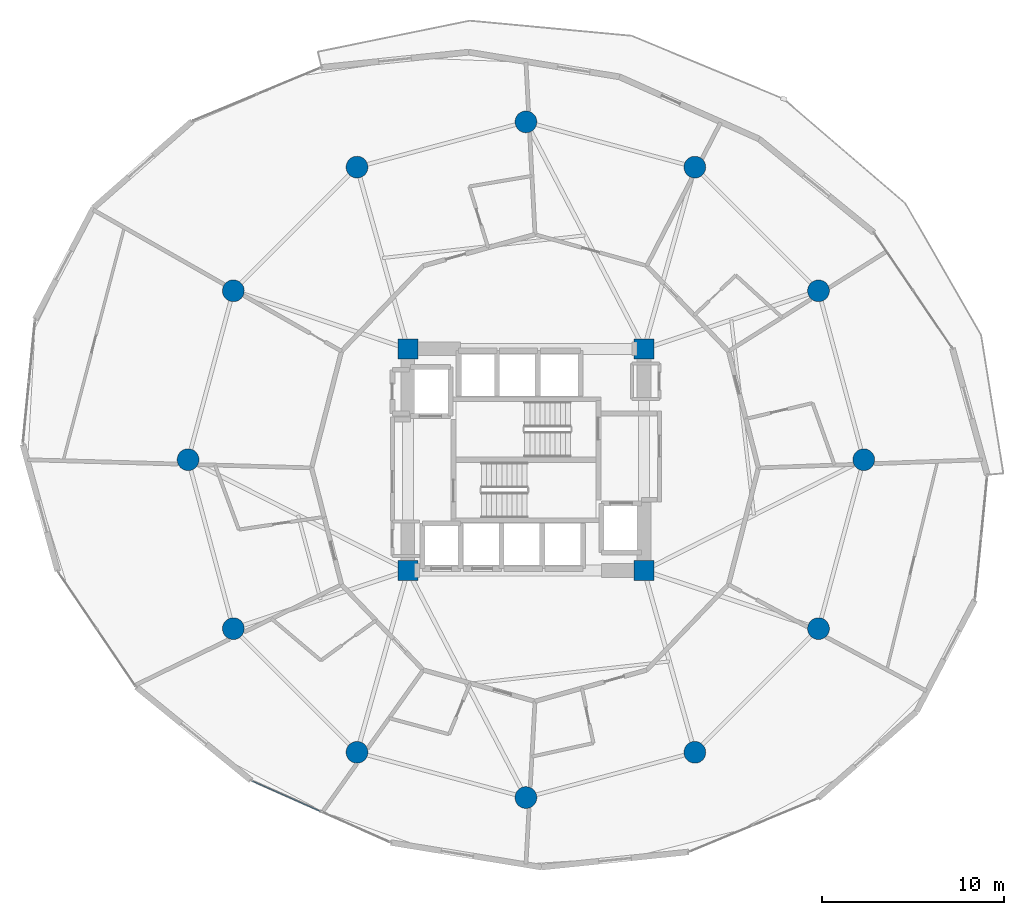
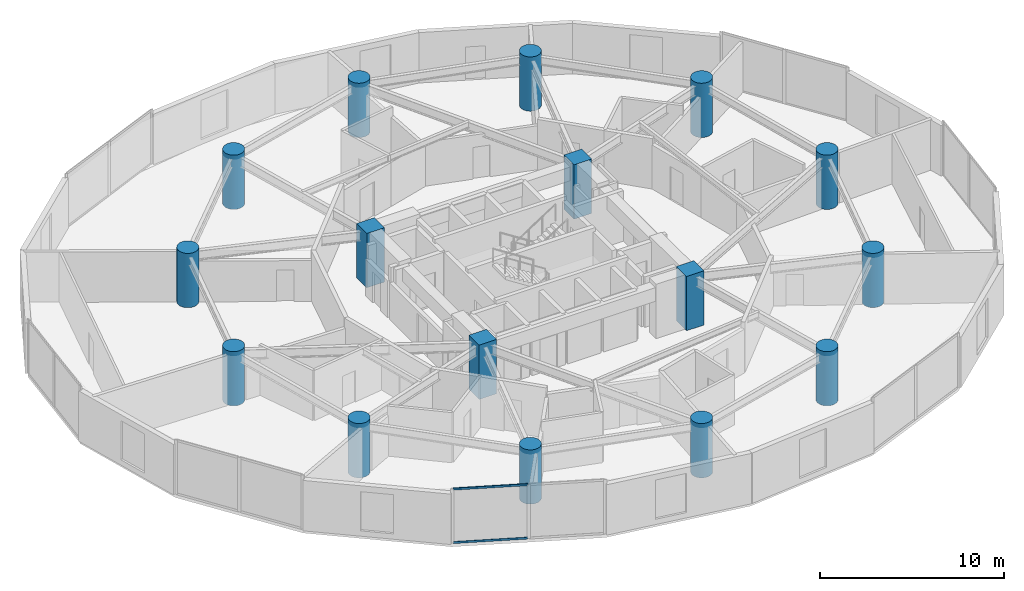
# One storey, part 1 of 26: 16 columns, 2 members, 1 element without a shape of its own.
"""IFC4 building model written with IfcOpenShell, lengths in metres."""

from ifc_helpers import new_model, si_unit, direction, frame, origin, origin_2d, place, context, subcontext, project, spatial, rectangle, hollow_rectangle, circle, extrude, source, transform, mapped, material, layer, layer_set, material_profile, profile_set, type_object, element, aggregate, save


model = new_model("IFC4")

# Units and contexts
model_context = context("Model", 3, precision=1e-05, world=origin(), true_north=direction((0.0, 1.0)))
body_context = subcontext(model_context, "Body", "Model", "MODEL_VIEW")
ifc_project = project(units=[si_unit("LENGTHUNIT", "METRE"), si_unit("AREAUNIT", "SQUARE_METRE"), si_unit("VOLUMEUNIT", "CUBIC_METRE"), si_unit("PLANEANGLEUNIT", "RADIAN"), si_unit("MASSUNIT", "GRAM", prefix="KILO")], contexts=[model_context])

# Site, building, storey
site_placement = place(None, origin())
site = spatial("IfcSite", under=ifc_project, at=site_placement, CompositionType="ELEMENT")
building_placement = place(site_placement, origin())
building = spatial("IfcBuilding", under=site, at=building_placement, Name="Solvirekh Grand Hotel", CompositionType="ELEMENT")
storey_placement = place(building_placement, frame((0.0, 0.0, 64.39990234375)))
storey = spatial("IfcBuildingStorey", under=building, at=storey_placement, Name="L15", CompositionType="ELEMENT", Elevation=64.39990234375)

# Columns
ifc_material_1 = material(Name="Concrete C60/75", Category="concrete")
ifc_material_profile_1 = material_profile(ifc_material_1, rectangle(XDim=1.10009765625, YDim=1.10009765625, at=origin_2d()), Name="RC 1100X1100")
ifc_profile_set_1 = profile_set([ifc_material_profile_1], Name="Concrete C60/75")
column_type_1 = type_object("IfcColumnType", Name="Col_Core_1100", PredefinedType="COLUMN", material=ifc_profile_set_1)
for number, where, z_axis, x_axis, name in (
    (1, (-6.5, -6.10009765625, 0.0), (0.0, 0.0, 1.0), (1.0, 0.0, 0.0), "L15 core corner column CC1"),
    (2, (6.5, -6.10009765625, 0.0), (0.0, 0.0, 1.0), (1.0, 0.0, 0.0), "L15 core corner column CC2"),
    (3, (6.5, 6.10009765625, 0.0), (0.0, 0.0, 1.0), (1.0, 0.0, 0.0), "L15 core corner column CC3"),
    (4, (-6.5, 6.10009765625, 0.0), (0.0, 0.0, 1.0), (1.0, 0.0, 0.0), "L15 core corner column CC4"),
):
    element("IfcColumn", number, at=place(storey_placement, frame(where, z_axis=z_axis, x_axis=x_axis)), inside=storey, type_object=column_type_1, Name=name, PredefinedType="COLUMN", context=body_context, shape_type="SweptSolid", body=[
        extrude(rectangle(XDim=1.10009765625, YDim=1.10009765625, at=origin_2d()), origin(), (0.0, 0.0, 1.0), 3.60009765625),
    ])
ifc_material_profile_2 = material_profile(ifc_material_1, circle(Radius=0.60009765625, at=origin_2d()), Name="RC CIRC D1200")
ifc_profile_set_2 = profile_set([ifc_material_profile_2], Name="Concrete C60/75")
column_type_2 = type_object("IfcColumnType", Name="Col_Z1_D1200", PredefinedType="COLUMN", material=ifc_profile_set_2)
for number, where, z_axis, x_axis, name in (
    (5, (18.60009765625, 0.0, 0.0), (0.0, 0.0, 1.0), (1.0, 0.0, 0.0), "L15 perimeter column P01"),
    (6, (16.10791015625, 9.300048828125, 0.0), (0.0, 0.0, 1.0), (1.0, 0.0, 0.0), "L15 perimeter column P02"),
    (7, (9.300048828125, 16.10791015625, 0.0), (0.0, 0.0, 1.0), (1.0, 0.0, 0.0), "L15 perimeter column P03"),
    (8, (0.0, 18.60009765625, 0.0), (0.0, 0.0, 1.0), (1.0, 0.0, 0.0), "L15 perimeter column P04"),
    (9, (-9.300048828125, 16.10791015625, 0.0), (0.0, 0.0, 1.0), (1.0, 0.0, 0.0), "L15 perimeter column P05"),
    (10, (-16.10791015625, 9.300048828125, 0.0), (0.0, 0.0, 1.0), (1.0, 0.0, 0.0), "L15 perimeter column P06"),
    (11, (-18.60009765625, 0.0, 0.0), (0.0, 0.0, 1.0), (1.0, 0.0, 0.0), "L15 perimeter column P07"),
    (12, (-16.10791015625, -9.300048828125, 0.0), (0.0, 0.0, 1.0), (1.0, 0.0, 0.0), "L15 perimeter column P08"),
    (13, (-9.300048828125, -16.10791015625, 0.0), (0.0, 0.0, 1.0), (1.0, 0.0, 0.0), "L15 perimeter column P09"),
    (14, (0.0, -18.60009765625, 0.0), (0.0, 0.0, 1.0), (1.0, 0.0, 0.0), "L15 perimeter column P10"),
    (15, (9.300048828125, -16.10791015625, 0.0), (0.0, 0.0, 1.0), (1.0, 0.0, 0.0), "L15 perimeter column P11"),
    (16, (16.10791015625, -9.300048828125, 0.0), (0.0, 0.0, 1.0), (1.0, 0.0, 0.0), "L15 perimeter column P12"),
):
    element("IfcColumn", number, at=place(storey_placement, frame(where, z_axis=z_axis, x_axis=x_axis)), inside=storey, type_object=column_type_2, Name=name, PredefinedType="COLUMN", context=body_context, shape_type="SweptSolid", body=[
        extrude(circle(Radius=0.60009765625, at=origin_2d()), origin(), (0.0, 0.0, 1.0), 3.60009765625),
    ])

# Curtain wall, members
ifc_material_2 = material(Name="Anodized Bronze Aluminium 6063-T6", Category="aluminium")
ifc_layer = layer(ifc_material_2, 0.18994140625)
ifc_layer_set = layer_set([ifc_layer], Name="Anodized Bronze Aluminium 6063-T6")
curtain_wall_type = type_object("IfcCurtainWallType", Name="CW_Sys2_LowZoneFlushBronzeCW", PredefinedType="NOTDEFINED", material=ifc_layer_set)
curtain_wall_placement = place(storey_placement, origin())
curtain_wall = element("IfcCurtainWall", 17, at=curtain_wall_placement, inside=storey, type_object=curtain_wall_type, Name="L15 unitised bronze-glass curtain wall CW-L15-C15", PredefinedType="NOTDEFINED")
ifc_material_profile_3 = material_profile(ifc_material_2, hollow_rectangle(XDim=0.06005859375, YDim=0.135009765625, WallThickness=0.00390625, at=origin_2d()), Name="ALU RHS 135X60X4")
ifc_profile_set_3 = profile_set([ifc_material_profile_3], Name="Anodized Bronze Aluminium 6063-T6")
member_type = type_object("IfcMemberType", Name="CWTransom_Sys2", PredefinedType="USERDEFINED", material=ifc_profile_set_3)
shared_shape = source(origin(), body_context, "Body", "SweptSolid", [
    extrude(hollow_rectangle(XDim=0.06005859375, YDim=0.135009765625, WallThickness=0.00390625, at=origin_2d()), origin(), (0.0, 0.0, 1.0), 4.1015625),
])
member_1_placement = place(storey_placement, frame((-15.072021484375, -17.6865234375, 0.030029296875), z_axis=(0.913597866775, -0.406618909821, 0.0), x_axis=(0.406618909821, 0.913597866775, 0.0)))
member_1 = element("IfcMember", 18, at=member_1_placement, type_object=member_type, Name="U02 transom 1.1", ObjectType="TRANSOM", PredefinedType="USERDEFINED", context=body_context, shape_type="MappedRepresentation", body=[
    mapped(shared_shape, transform((0.0, 0.0, 0.0), x_axis=(1.0, 0.0, 0.0), y_axis=(0.0, 1.0, 0.0), z_axis=(0.0, 0.0, 1.0), scale=1.0)),
])
member_2_placement = place(storey_placement, frame((-15.072021484375, -17.6865234375, 3.570068359375), z_axis=(0.913597866775, -0.406618909821, 0.0), x_axis=(0.406618909821, 0.913597866775, 0.0)))
member_2 = element("IfcMember", 19, at=member_2_placement, type_object=member_type, Name="U02 transom 1.2", ObjectType="TRANSOM", PredefinedType="USERDEFINED", context=body_context, shape_type="MappedRepresentation", body=[
    mapped(shared_shape, transform((0.0, 0.0, 0.0), x_axis=(1.0, 0.0, 0.0), y_axis=(0.0, 1.0, 0.0), z_axis=(0.0, 0.0, 1.0), scale=1.0)),
])
aggregate(curtain_wall, [member_1, member_2])

save(model, "model.ifc")
